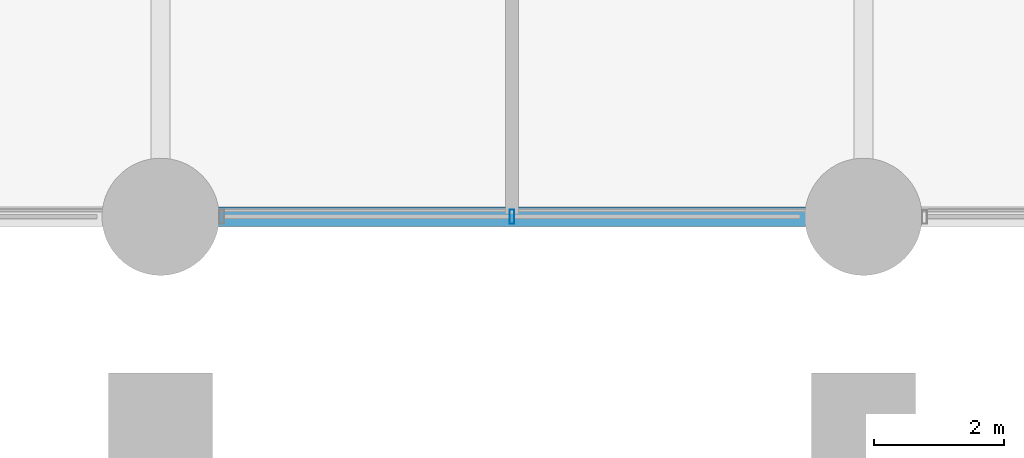
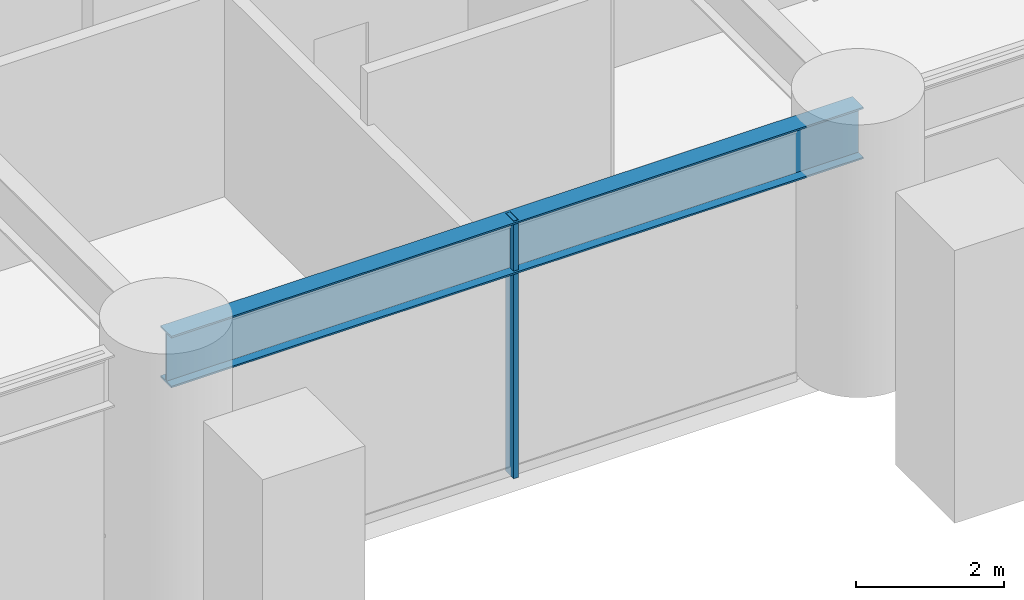
# One storey, part 4 of 31: 1 beam, 1 member, 1 element without a shape of its own.
"""IFC4 building model written with IfcOpenShell, lengths in metres."""

from ifc_helpers import new_model, si_unit, direction, frame, origin, origin_2d, place, context, subcontext, project, spatial, hollow_rectangle, i_section, extrude, material, layer, layer_set, material_profile, profile_set, type_object, element, aggregate, save


model = new_model("IFC4")

# Units and contexts
model_context = context("Model", 3, precision=1e-05, world=origin(), true_north=direction((0.0, 1.0)))
body_context = subcontext(model_context, "Body", "Model", "MODEL_VIEW")
ifc_project = project(units=[si_unit("LENGTHUNIT", "METRE"), si_unit("AREAUNIT", "SQUARE_METRE"), si_unit("VOLUMEUNIT", "CUBIC_METRE"), si_unit("PLANEANGLEUNIT", "RADIAN"), si_unit("MASSUNIT", "GRAM", prefix="KILO")], contexts=[model_context])

# Site, building, storey
site_placement = place(None, origin())
site = spatial("IfcSite", under=ifc_project, at=site_placement, CompositionType="ELEMENT")
building_placement = place(site_placement, origin())
building = spatial("IfcBuilding", under=site, at=building_placement, Name="Surkhivell Harbour Commons", CompositionType="ELEMENT")
storey_placement = place(building_placement, frame((0.0, 0.0, 4.5)))
storey = spatial("IfcBuildingStorey", under=building, at=storey_placement, Name="L01", CompositionType="ELEMENT", Elevation=4.5)

# Beam
ifc_material_1 = material(Name="Steel S460", Category="steel")
ifc_material_profile_1 = material_profile(ifc_material_1, i_section(OverallWidth=0.2939453125, OverallDepth=0.85107421875, WebThickness=0.01611328125, FlangeThickness=0.02685546875, at=origin_2d()), Name="UB838x292x226")
ifc_profile_set_1 = profile_set([ifc_material_profile_1], Name="Steel S460")
beam_type = type_object("IfcBeamType", Name="BM-SPN-838", PredefinedType="SPANDREL", material=ifc_profile_set_1)
beam_placement = place(storey_placement, frame((-10.800048828125, -21.60009765625, 3.824462890625), z_axis=(1.0, 0.0, 0.0), x_axis=(0.0, 1.0, 0.0)))
element("IfcBeam", 1, at=beam_placement, inside=storey, type_object=beam_type, Name="L01 Framing Beam (-10.8,-21.6)", PredefinedType="SPANDREL", context=body_context, shape_type="SweptSolid", body=[
    extrude(i_section(OverallWidth=0.2939453125, OverallDepth=0.85107421875, WebThickness=0.01611328125, FlangeThickness=0.02685546875, at=origin_2d()), origin(), (0.0, 0.0, 1.0), 10.800048828125),
])

# Curtain wall, member
ifc_material_2 = material(Name="Anodised pale-metal aluminium and insulated glazing", Category="aluminium")
ifc_layer = layer(ifc_material_2, 0.239990234375)
ifc_layer_set = layer_set([ifc_layer], Name="Anodised pale-metal aluminium and insulated glazing")
curtain_wall_type = type_object("IfcCurtainWallType", Name="CW-SYS-POD", PredefinedType="NOTDEFINED", material=ifc_layer_set)
curtain_wall_placement = place(storey_placement, origin())
curtain_wall = element("IfcCurtainWall", 2, at=curtain_wall_placement, inside=storey, type_object=curtain_wall_type, Name="L01 Curtain Wall CW-L01-P01", PredefinedType="NOTDEFINED")
ifc_material_3 = material(Name="Anodised pale-metal aluminium alloy 6063-T6", Category="aluminium")
ifc_material_profile_2 = material_profile(ifc_material_3, hollow_rectangle(XDim=0.074951171875, YDim=0.219970703125, WallThickness=0.00390625, at=origin_2d()), Name="ALU-MULL-75x220")
ifc_profile_set_2 = profile_set([ifc_material_profile_2], Name="Anodised pale-metal aluminium alloy 6063-T6")
member_type = type_object("IfcMemberType", Name="CWM-220", PredefinedType="MULLION", material=ifc_profile_set_2)
member_placement = place(storey_placement, frame((-5.39990234375, -21.60009765625, 0.0), z_axis=(0.0, 0.0, 1.0), x_axis=(1.0, 0.0, 0.0)))
member = element("IfcMember", 3, at=member_placement, type_object=member_type, Name="CW-POD mullion 6", PredefinedType="MULLION", context=body_context, shape_type="SweptSolid", body=[
    extrude(hollow_rectangle(XDim=0.074951171875, YDim=0.219970703125, WallThickness=0.00390625, at=origin_2d()), origin(), (0.0, 0.0, 1.0), 4.25),
])
aggregate(curtain_wall, [member])

save(model, "model.ifc")
